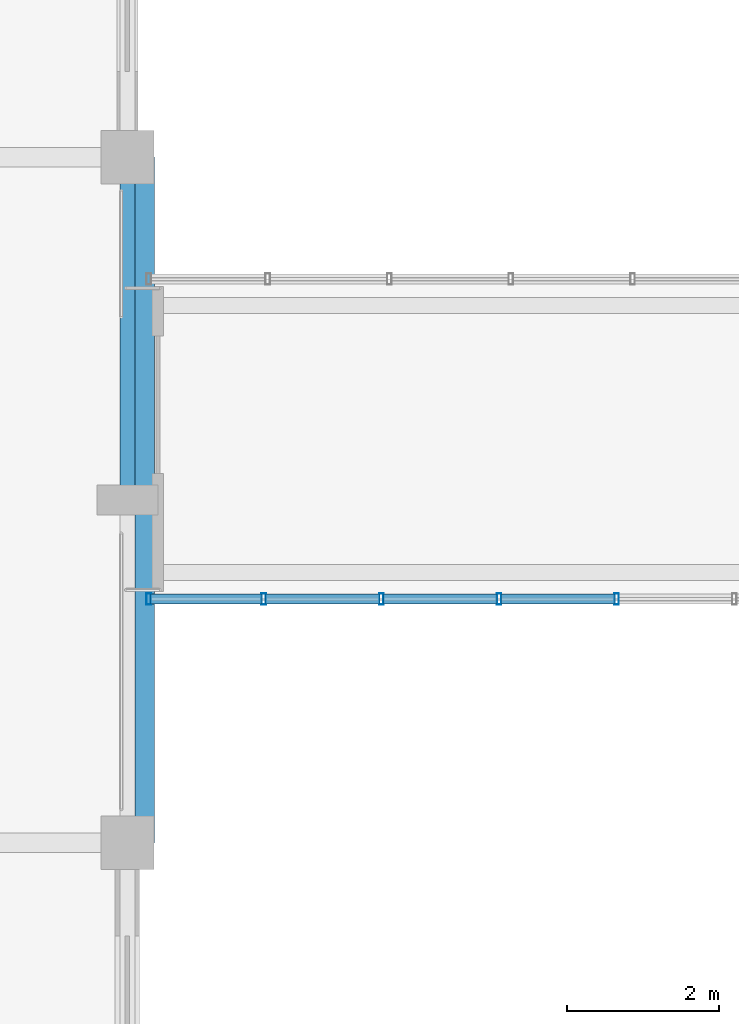
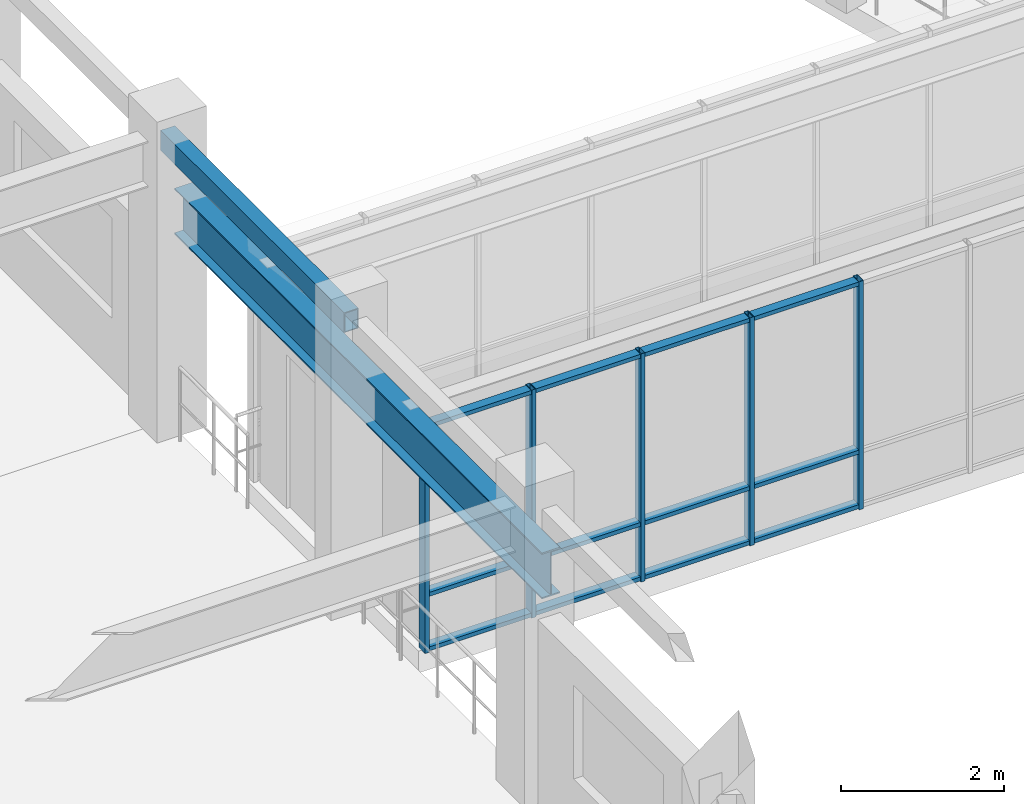
# One storey, part 27 of 99: 17 members, 2 beams, 1 element without a shape of its own.
"""IFC4 building model written with IfcOpenShell, lengths in metres."""

from ifc_helpers import new_model, si_unit, direction, frame, origin, origin_2d, place, context, subcontext, project, spatial, hollow_rectangle, i_section, extrude, material, layer, layer_set, material_profile, profile_set, type_object, element, aggregate, save


model = new_model("IFC4")

# Units and contexts
model_context = context("Model", 3, precision=1e-05, world=origin(), true_north=direction((0.0, 1.0)))
body_context = subcontext(model_context, "Body", "Model", "MODEL_VIEW")
ifc_project = project(units=[si_unit("LENGTHUNIT", "METRE"), si_unit("AREAUNIT", "SQUARE_METRE"), si_unit("VOLUMEUNIT", "CUBIC_METRE"), si_unit("PLANEANGLEUNIT", "RADIAN"), si_unit("MASSUNIT", "GRAM", prefix="KILO")], contexts=[model_context])

# Site, building, storey
site_placement = place(None, origin())
site = spatial("IfcSite", under=ifc_project, at=site_placement, CompositionType="ELEMENT")
building_placement = place(site_placement, origin())
building = spatial("IfcBuilding", under=site, at=building_placement, Name="Ventoquebrada Cableway Terminal", CompositionType="ELEMENT")
storey_placement = place(building_placement, frame((0.0, 0.0, 9.60009765625)))
storey = spatial("IfcBuildingStorey", under=building, at=storey_placement, Name="L02", CompositionType="ELEMENT", Elevation=9.60009765625)

# Beam
ifc_material_1 = material(Name="Steel ASTM A992 Grade 50", Category="steel")
ifc_material_profile_1 = material_profile(ifc_material_1, i_section(OverallWidth=0.25390625, OverallDepth=0.68798828125, WebThickness=0.01318359375, FlangeThickness=0.02099609375, at=origin_2d()), Name="W27X102")
ifc_profile_set_1 = profile_set([ifc_material_profile_1], Name="Steel ASTM A992 Grade 50")
beam_type_1 = type_object("IfcBeamType", Name="BM-ST04", PredefinedType="BEAM", material=ifc_profile_set_1)
beam_1_placement = place(storey_placement, frame((35.22509765625, 77.0, 3.100830078125), z_axis=(0.0, 1.0, 0.0), x_axis=(-1.0, 0.0, 0.0)))
element("IfcBeam", 1, at=beam_1_placement, inside=storey, type_object=beam_type_1, Name="Bridge roof corbel girder LP-2 FBM-1107", PredefinedType="BEAM", context=body_context, shape_type="SweptSolid", body=[
    extrude(i_section(OverallWidth=0.25390625, OverallDepth=0.68798828125, WebThickness=0.01318359375, FlangeThickness=0.02099609375, at=origin_2d()), origin(), (0.0, 0.0, 1.0), 9.0),
])

# Curtain wall, members
ifc_material_2 = material(Name="Anodized thermally-broken aluminium", Category="aluminium")
ifc_layer = layer(ifc_material_2, 0.159912109375)
ifc_layer_set = layer_set([ifc_layer], Name="Anodized thermally-broken aluminium")
curtain_wall_type = type_object("IfcCurtainWallType", Name="CW-T52", PredefinedType="USERDEFINED", material=ifc_layer_set)
curtain_wall_placement = place(storey_placement, origin())
curtain_wall = element("IfcCurtainWall", 2, at=curtain_wall_placement, inside=storey, type_object=curtain_wall_type, Name="Unitised glazed curtain wall CW-171", ObjectType="UNITISED CURTAIN WALL", PredefinedType="USERDEFINED")
ifc_material_profile_2 = material_profile(ifc_material_2, hollow_rectangle(XDim=0.06005859375, YDim=0.14990234375, WallThickness=0.00390625, at=origin_2d()), Name="CW-MUL-60X150")
ifc_profile_set_2 = profile_set([ifc_material_profile_2], Name="Anodized thermally-broken aluminium")
member_type_1 = type_object("IfcMemberType", Name="CWM-03", PredefinedType="MULLION", material=ifc_profile_set_2)
member_1_placement = place(storey_placement, frame((35.280029296875, 80.199951171875, -0.008056640625), z_axis=(0.0, 0.0, 1.0), x_axis=(1.0, 0.0, 0.0)))
member_1 = element("IfcMember", 3, at=member_1_placement, type_object=member_type_1, Name="Curtain wall mullion FML-0842", PredefinedType="MULLION", context=body_context, shape_type="SweptSolid", body=[
    extrude(hollow_rectangle(XDim=0.06005859375, YDim=0.14990234375, WallThickness=0.00390625, at=origin_2d()), origin(), (0.0, 0.0, 1.0), 3.412841796875),
])
member_2_placement = place(storey_placement, frame((36.7890625, 80.199951171875, -0.008056640625), z_axis=(0.0, 0.0, 1.0), x_axis=(1.0, 0.0, 0.0)))
member_2 = element("IfcMember", 4, at=member_2_placement, type_object=member_type_1, Name="Curtain wall mullion FML-0843", PredefinedType="MULLION", context=body_context, shape_type="SweptSolid", body=[
    extrude(hollow_rectangle(XDim=0.06005859375, YDim=0.14990234375, WallThickness=0.00390625, at=origin_2d()), origin(), (0.0, 0.0, 1.0), 3.412841796875),
])
member_3_placement = place(storey_placement, frame((38.3330078125, 80.199951171875, -0.008056640625), z_axis=(0.0, 0.0, 1.0), x_axis=(1.0, 0.0, 0.0)))
member_3 = element("IfcMember", 5, at=member_3_placement, type_object=member_type_1, Name="Curtain wall mullion FML-0844", PredefinedType="MULLION", context=body_context, shape_type="SweptSolid", body=[
    extrude(hollow_rectangle(XDim=0.06005859375, YDim=0.14990234375, WallThickness=0.00390625, at=origin_2d()), origin(), (0.0, 0.0, 1.0), 3.412841796875),
])
member_4_placement = place(storey_placement, frame((39.876953125, 80.199951171875, -0.008056640625), z_axis=(0.0, 0.0, 1.0), x_axis=(1.0, 0.0, 0.0)))
member_4 = element("IfcMember", 6, at=member_4_placement, type_object=member_type_1, Name="Curtain wall mullion FML-0845", PredefinedType="MULLION", context=body_context, shape_type="SweptSolid", body=[
    extrude(hollow_rectangle(XDim=0.06005859375, YDim=0.14990234375, WallThickness=0.00390625, at=origin_2d()), origin(), (0.0, 0.0, 1.0), 3.412841796875),
])
member_5_placement = place(storey_placement, frame((41.4208984375, 80.199951171875, -0.008056640625), z_axis=(0.0, 0.0, 1.0), x_axis=(1.0, 0.0, 0.0)))
member_5 = element("IfcMember", 7, at=member_5_placement, type_object=member_type_1, Name="Curtain wall mullion FML-0846", PredefinedType="MULLION", context=body_context, shape_type="SweptSolid", body=[
    extrude(hollow_rectangle(XDim=0.06005859375, YDim=0.14990234375, WallThickness=0.00390625, at=origin_2d()), origin(), (0.0, 0.0, 1.0), 3.412841796875),
])
ifc_material_profile_3 = material_profile(ifc_material_2, hollow_rectangle(XDim=0.06005859375, YDim=0.1298828125, WallThickness=0.00390625, at=origin_2d()), Name="CW-TRN-60X130")
ifc_profile_set_3 = profile_set([ifc_material_profile_3], Name="Anodized thermally-broken aluminium")
member_type_2 = type_object("IfcMemberType", Name="CWT-02", PredefinedType="USERDEFINED", material=ifc_profile_set_3)
member_6_placement = place(storey_placement, frame((35.304931640625, 80.199951171875, 0.034912109375), z_axis=(1.0, 0.0, 0.0), x_axis=(0.0, 0.0, 1.0)))
member_6 = element("IfcMember", 8, at=member_6_placement, type_object=member_type_2, Name="Curtain wall transom FTR-2462", ObjectType="TRANSOM", PredefinedType="USERDEFINED", context=body_context, shape_type="SweptSolid", body=[
    extrude(hollow_rectangle(XDim=0.06005859375, YDim=0.1298828125, WallThickness=0.00390625, at=origin_2d()), origin(), (0.0, 0.0, 1.0), 1.458984375),
])
member_7_placement = place(storey_placement, frame((35.304931640625, 80.199951171875, 0.849853515625), z_axis=(1.0, 0.0, 0.0), x_axis=(0.0, 0.0, 1.0)))
member_7 = element("IfcMember", 9, at=member_7_placement, type_object=member_type_2, Name="Curtain wall transom FTR-2463", ObjectType="TRANSOM", PredefinedType="USERDEFINED", context=body_context, shape_type="SweptSolid", body=[
    extrude(hollow_rectangle(XDim=0.06005859375, YDim=0.1298828125, WallThickness=0.00390625, at=origin_2d()), origin(), (0.0, 0.0, 1.0), 1.458984375),
])
member_8_placement = place(storey_placement, frame((35.304931640625, 80.199951171875, 3.364990234375), z_axis=(1.0, 0.0, 0.0), x_axis=(0.0, 0.0, 1.0)))
member_8 = element("IfcMember", 10, at=member_8_placement, type_object=member_type_2, Name="Curtain wall transom FTR-2464", ObjectType="TRANSOM", PredefinedType="USERDEFINED", context=body_context, shape_type="SweptSolid", body=[
    extrude(hollow_rectangle(XDim=0.06005859375, YDim=0.1298828125, WallThickness=0.00390625, at=origin_2d()), origin(), (0.0, 0.0, 1.0), 1.458984375),
])
member_9_placement = place(storey_placement, frame((36.81396484375, 80.199951171875, 0.034912109375), z_axis=(1.0, 0.0, 0.0), x_axis=(0.0, 0.0, 1.0)))
member_9 = element("IfcMember", 11, at=member_9_placement, type_object=member_type_2, Name="Curtain wall transom FTR-2465", ObjectType="TRANSOM", PredefinedType="USERDEFINED", context=body_context, shape_type="SweptSolid", body=[
    extrude(hollow_rectangle(XDim=0.06005859375, YDim=0.1298828125, WallThickness=0.00390625, at=origin_2d()), origin(), (0.0, 0.0, 1.0), 1.494140625),
])
member_10_placement = place(storey_placement, frame((36.81396484375, 80.199951171875, 0.849853515625), z_axis=(1.0, 0.0, 0.0), x_axis=(0.0, 0.0, 1.0)))
member_10 = element("IfcMember", 12, at=member_10_placement, type_object=member_type_2, Name="Curtain wall transom FTR-2466", ObjectType="TRANSOM", PredefinedType="USERDEFINED", context=body_context, shape_type="SweptSolid", body=[
    extrude(hollow_rectangle(XDim=0.06005859375, YDim=0.1298828125, WallThickness=0.00390625, at=origin_2d()), origin(), (0.0, 0.0, 1.0), 1.494140625),
])
member_11_placement = place(storey_placement, frame((36.81396484375, 80.199951171875, 3.364990234375), z_axis=(1.0, 0.0, 0.0), x_axis=(0.0, 0.0, 1.0)))
member_11 = element("IfcMember", 13, at=member_11_placement, type_object=member_type_2, Name="Curtain wall transom FTR-2467", ObjectType="TRANSOM", PredefinedType="USERDEFINED", context=body_context, shape_type="SweptSolid", body=[
    extrude(hollow_rectangle(XDim=0.06005859375, YDim=0.1298828125, WallThickness=0.00390625, at=origin_2d()), origin(), (0.0, 0.0, 1.0), 1.494140625),
])
member_12_placement = place(storey_placement, frame((38.35791015625, 80.199951171875, 0.034912109375), z_axis=(1.0, 0.0, 0.0), x_axis=(0.0, 0.0, 1.0)))
member_12 = element("IfcMember", 14, at=member_12_placement, type_object=member_type_2, Name="Curtain wall transom FTR-2468", ObjectType="TRANSOM", PredefinedType="USERDEFINED", context=body_context, shape_type="SweptSolid", body=[
    extrude(hollow_rectangle(XDim=0.06005859375, YDim=0.1298828125, WallThickness=0.00390625, at=origin_2d()), origin(), (0.0, 0.0, 1.0), 1.494140625),
])
member_13_placement = place(storey_placement, frame((38.35791015625, 80.199951171875, 0.849853515625), z_axis=(1.0, 0.0, 0.0), x_axis=(0.0, 0.0, 1.0)))
member_13 = element("IfcMember", 15, at=member_13_placement, type_object=member_type_2, Name="Curtain wall transom FTR-2469", ObjectType="TRANSOM", PredefinedType="USERDEFINED", context=body_context, shape_type="SweptSolid", body=[
    extrude(hollow_rectangle(XDim=0.06005859375, YDim=0.1298828125, WallThickness=0.00390625, at=origin_2d()), origin(), (0.0, 0.0, 1.0), 1.494140625),
])
member_14_placement = place(storey_placement, frame((38.35791015625, 80.199951171875, 3.364990234375), z_axis=(1.0, 0.0, 0.0), x_axis=(0.0, 0.0, 1.0)))
member_14 = element("IfcMember", 16, at=member_14_placement, type_object=member_type_2, Name="Curtain wall transom FTR-2470", ObjectType="TRANSOM", PredefinedType="USERDEFINED", context=body_context, shape_type="SweptSolid", body=[
    extrude(hollow_rectangle(XDim=0.06005859375, YDim=0.1298828125, WallThickness=0.00390625, at=origin_2d()), origin(), (0.0, 0.0, 1.0), 1.494140625),
])
member_15_placement = place(storey_placement, frame((39.902099609375, 80.199951171875, 0.034912109375), z_axis=(1.0, 0.0, 0.0), x_axis=(0.0, 0.0, 1.0)))
member_15 = element("IfcMember", 17, at=member_15_placement, type_object=member_type_2, Name="Curtain wall transom FTR-2471", ObjectType="TRANSOM", PredefinedType="USERDEFINED", context=body_context, shape_type="SweptSolid", body=[
    extrude(hollow_rectangle(XDim=0.06005859375, YDim=0.1298828125, WallThickness=0.00390625, at=origin_2d()), origin(), (0.0, 0.0, 1.0), 1.493896484375),
])
member_16_placement = place(storey_placement, frame((39.902099609375, 80.199951171875, 0.849853515625), z_axis=(1.0, 0.0, 0.0), x_axis=(0.0, 0.0, 1.0)))
member_16 = element("IfcMember", 18, at=member_16_placement, type_object=member_type_2, Name="Curtain wall transom FTR-2472", ObjectType="TRANSOM", PredefinedType="USERDEFINED", context=body_context, shape_type="SweptSolid", body=[
    extrude(hollow_rectangle(XDim=0.06005859375, YDim=0.1298828125, WallThickness=0.00390625, at=origin_2d()), origin(), (0.0, 0.0, 1.0), 1.493896484375),
])
member_17_placement = place(storey_placement, frame((39.902099609375, 80.199951171875, 3.364990234375), z_axis=(1.0, 0.0, 0.0), x_axis=(0.0, 0.0, 1.0)))
member_17 = element("IfcMember", 19, at=member_17_placement, type_object=member_type_2, Name="Curtain wall transom FTR-2473", ObjectType="TRANSOM", PredefinedType="USERDEFINED", context=body_context, shape_type="SweptSolid", body=[
    extrude(hollow_rectangle(XDim=0.06005859375, YDim=0.1298828125, WallThickness=0.00390625, at=origin_2d()), origin(), (0.0, 0.0, 1.0), 1.493896484375),
])
aggregate(curtain_wall, [member_1, member_2, member_3, member_4, member_5, member_6, member_7, member_8, member_9, member_10, member_11, member_12, member_13, member_14, member_15, member_16, member_17])

# Beam
ifc_material_3 = material(Name="Steel ASTM A500 Grade C", Category="steel")
ifc_material_profile_4 = material_profile(ifc_material_3, hollow_rectangle(XDim=0.199951171875, YDim=0.300048828125, WallThickness=0.012451171875, at=origin_2d()), Name="RHS300X200X12.5")
ifc_profile_set_4 = profile_set([ifc_material_profile_4], Name="Steel ASTM A500 Grade C")
beam_type_2 = type_object("IfcBeamType", Name="SP-ST02", PredefinedType="SPANDREL", material=ifc_profile_set_4)
beam_2_placement = place(storey_placement, frame((35.0, 81.5, 4.22998046875), z_axis=(0.0, 1.0, 0.0), x_axis=(-1.0, 0.0, 0.0)))
element("IfcBeam", 20, at=beam_2_placement, inside=storey, type_object=beam_type_2, Name="Perimeter spandrel beam FBM-0482", PredefinedType="SPANDREL", context=body_context, shape_type="SweptSolid", body=[
    extrude(hollow_rectangle(XDim=0.199951171875, YDim=0.300048828125, WallThickness=0.012451171875, at=origin_2d()), origin(), (0.0, 0.0, 1.0), 4.5),
])

save(model, "model.ifc")
